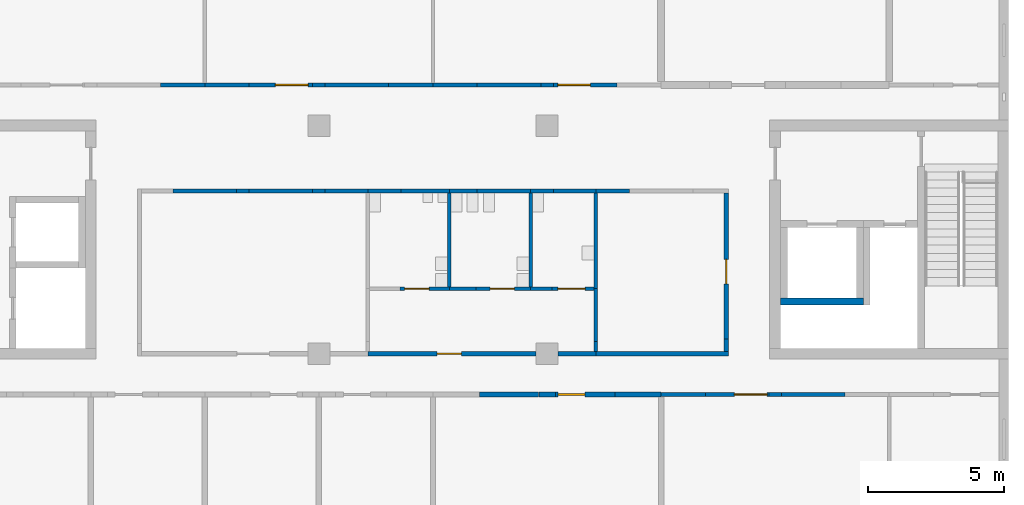
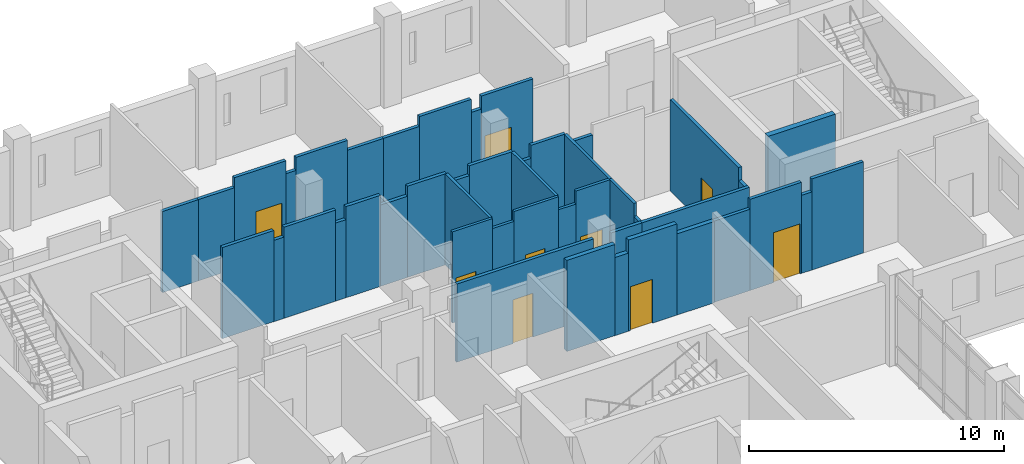
# One storey, part 47 of 70: 46 walls, 9 doors, 9 openings.
"""IFC4 building model written with IfcOpenShell, lengths in metres."""

from ifc_helpers import new_model, si_unit, direction, frame, frame_2d, origin, place, context, subcontext, project, spatial, rectangle, extrude, material, layer, layer_set, type_object, element, fill, save


model = new_model("IFC4")

# Units and contexts
model_context = context("Model", 3, precision=1e-05, world=origin(), true_north=direction((0.0, 1.0)))
body_context = subcontext(model_context, "Body", "Model", "MODEL_VIEW")
ifc_project = project(units=[si_unit("LENGTHUNIT", "METRE"), si_unit("AREAUNIT", "SQUARE_METRE"), si_unit("VOLUMEUNIT", "CUBIC_METRE"), si_unit("PLANEANGLEUNIT", "RADIAN"), si_unit("MASSUNIT", "GRAM", prefix="KILO")], contexts=[model_context])

# Site, building, storey
site_placement = place(None, origin())
site = spatial("IfcSite", under=ifc_project, at=site_placement, CompositionType="ELEMENT")
building_placement = place(site_placement, origin())
building = spatial("IfcBuilding", under=site, at=building_placement, Name="Hlaing Beacon Police Headquarters", CompositionType="ELEMENT")
storey_placement = place(building_placement, frame((0.0, 0.0, 5.39990234375)))
storey = spatial("IfcBuildingStorey", under=building, at=storey_placement, Name="L01", CompositionType="ELEMENT", Elevation=5.39990234375)

# Walls
ifc_material_1 = material(Name="Gypsum board partition")
ifc_layer_1 = layer(ifc_material_1, 0.14990234375)
ifc_layer_set_1 = layer_set([ifc_layer_1], Name="Gypsum board partition")
wall_type_1 = type_object("IfcWallType", Name="Corridor wall EI 30 150", PredefinedType="PARTITIONING", material=ifc_layer_set_1)
wall_1_placement = place(storey_placement, frame((103.830078125, 81.60009765625, 0.0), z_axis=(0.0, 0.0, 1.0), x_axis=(1.0, 0.0, 0.0)))
element("IfcWall", 1, at=wall_1_placement, inside=storey, type_object=wall_type_1, Name="Corridor wall EI 30 150", PredefinedType="PARTITIONING", context=body_context, shape_type="SweptSolid", body=[
    extrude(rectangle(XDim=2.33984375, YDim=0.14990234375, at=frame_2d((1.169921875, 0.0))), origin(), (0.0, 0.0, 1.0), 4.3701171875),
])
wall_2_placement = place(storey_placement, frame((106.169921875, 81.60009765625, 0.0), z_axis=(0.0, 0.0, 1.0), x_axis=(1.0, 0.0, 0.0)))
element("IfcWall", 2, at=wall_2_placement, inside=storey, type_object=wall_type_1, Name="Corridor wall EI 30 150", PredefinedType="PARTITIONING", context=body_context, shape_type="SweptSolid", body=[
    extrude(rectangle(XDim=0.4599609375, YDim=0.14990234375, at=frame_2d((0.22998046875, 0.0))), origin(), (0.0, 0.0, 1.0), 3.89501953125),
])
wall_3_placement = place(storey_placement, frame((106.6298828125, 81.60009765625, 0.0), z_axis=(0.0, 0.0, 1.0), x_axis=(1.0, 0.0, 0.0)))
element("IfcWall", 3, at=wall_3_placement, inside=storey, type_object=wall_type_1, Name="Corridor wall EI 30 150", PredefinedType="PARTITIONING", context=body_context, shape_type="SweptSolid", body=[
    extrude(rectangle(XDim=2.340087890625, YDim=0.14990234375, at=frame_2d((1.169921875, 0.0))), origin(), (0.0, 0.0, 1.0), 4.3701171875),
])
wall_4_placement = place(storey_placement, frame((108.969970703125, 81.60009765625, 0.0), z_axis=(0.0, 0.0, 1.0), x_axis=(1.0, 0.0, 0.0)))
element("IfcWall", 4, at=wall_4_placement, inside=storey, type_object=wall_type_1, Name="Corridor wall EI 30 150", PredefinedType="PARTITIONING", context=body_context, shape_type="SweptSolid", body=[
    extrude(rectangle(XDim=0.4599609375, YDim=0.14990234375, at=frame_2d((0.22998046875, 0.0))), origin(), (0.0, 0.0, 1.0), 3.74609375),
])
wall_5_placement = place(storey_placement, frame((109.429931640625, 81.60009765625, 0.0), z_axis=(0.0, 0.0, 1.0), x_axis=(1.0, 0.0, 0.0)))
element("IfcWall", 5, at=wall_5_placement, inside=storey, type_object=wall_type_1, Name="Corridor wall EI 30 150", PredefinedType="PARTITIONING", context=body_context, shape_type="SweptSolid", body=[
    extrude(rectangle(XDim=1.570068359375, YDim=0.14990234375, at=frame_2d((0.78515625, 0.0))), origin(), (0.0, 0.0, 1.0), 4.3701171875),
])
wall_6_placement = place(storey_placement, frame((117.0, 81.60009765625, 0.0), z_axis=(0.0, 0.0, 1.0), x_axis=(1.0, 0.0, 0.0)))
element("IfcWall", 6, at=wall_6_placement, inside=storey, type_object=wall_type_1, Name="Corridor wall EI 30 150", PredefinedType="PARTITIONING", context=body_context, shape_type="SweptSolid", body=[
    extrude(rectangle(XDim=0.830078125, YDim=0.14990234375, at=frame_2d((0.4150390625, 0.0))), origin(), (0.0, 0.0, 1.0), 3.74609375),
])
wall_7_placement = place(storey_placement, frame((117.830078125, 81.60009765625, 0.0), z_axis=(0.0, 0.0, 1.0), x_axis=(1.0, 0.0, 0.0)))
element("IfcWall", 7, at=wall_7_placement, inside=storey, type_object=wall_type_1, Name="Corridor wall EI 30 150", PredefinedType="PARTITIONING", context=body_context, shape_type="SweptSolid", body=[
    extrude(rectangle(XDim=1.56982421875, YDim=0.14990234375, at=frame_2d((0.784912109375, 0.0))), origin(), (0.0, 0.0, 1.0), 4.3701171875),
])
wall_8_placement = place(storey_placement, frame((114.0, 81.60009765625, 0.0), z_axis=(0.0, 0.0, 1.0), x_axis=(1.0, 0.0, 0.0)))
element("IfcWall", 8, at=wall_8_placement, inside=storey, type_object=wall_type_1, Name="Corridor wall EI 30 150", PredefinedType="PARTITIONING", context=body_context, shape_type="SweptSolid", body=[
    extrude(rectangle(XDim=1.030029296875, YDim=0.14990234375, at=frame_2d((0.51513671875, 0.0))), origin(), (0.0, 0.0, 1.0), 3.89501953125),
])
wall_9_placement = place(storey_placement, frame((115.030029296875, 81.60009765625, 0.0), z_axis=(0.0, 0.0, 1.0), x_axis=(1.0, 0.0, 0.0)))
element("IfcWall", 9, at=wall_9_placement, inside=storey, type_object=wall_type_1, Name="Corridor wall EI 30 150", PredefinedType="PARTITIONING", context=body_context, shape_type="SweptSolid", body=[
    extrude(rectangle(XDim=1.969970703125, YDim=0.14990234375, at=frame_2d((0.98486328125, 0.0))), origin(), (0.0, 0.0, 1.0), 4.3701171875),
])

# Wall, opening, door
wall_10_placement = place(storey_placement, frame((111.0, 75.60009765625, 0.0), z_axis=(0.0, 0.0, 1.0), x_axis=(1.0, 0.0, 0.0)))
wall_10 = element("IfcWall", 10, at=wall_10_placement, inside=storey, type_object=wall_type_1, Name="Corridor wall EI 30 150", PredefinedType="PARTITIONING", context=body_context, shape_type="SweptSolid", body=[
    extrude(rectangle(XDim=6.199951171875, YDim=0.14990234375, at=frame_2d((3.10009765625, 0.0))), origin(), (0.0, 0.0, 1.0), 3.74609375),
])
opening_1_placement = place(wall_10_placement, frame((2.550048828125, 0.0, 0.0)))
opening_1 = element("IfcOpeningElement", 11, at=opening_1_placement, cuts=wall_10, Name="Opening L01-072", PredefinedType="OPENING", context=body_context, shape_type="SweptSolid", body=[
    extrude(rectangle(XDim=0.89990234375, YDim=2.10009765625, at=frame_2d((0.449951171875, 1.050048828125))), frame((0.0, 0.0849609375, 0.0), z_axis=(0.0, -1.0, 0.0), x_axis=(1.0, 0.0, 0.0)), (0.0, 0.0, 1.0), 0.169921875),
])
ifc_material_2 = material(Name="Hardwood door leaf", Category="wood")
ifc_layer_2 = layer(ifc_material_2, 0.050048828125)
ifc_layer_set_2 = layer_set([ifc_layer_2], Name="Hardwood door leaf")
door_type_1 = type_object("IfcDoorType", Name="Fire door FD30S 900x2100", OperationType="SINGLE_SWING_LEFT", PredefinedType="DOOR", material=ifc_layer_set_2)
door_1_placement = place(opening_1_placement, origin())
door_1 = element("IfcDoor", 12, at=door_1_placement, inside=storey, type_object=door_type_1, Name="Door WC Lobby", OperationType="SINGLE_SWING_LEFT", OverallHeight=2.10009765625, OverallWidth=0.89990234375, PredefinedType="DOOR", context=body_context, shape_type="SweptSolid", body=[
    extrude(rectangle(XDim=0.89990234375, YDim=2.10009765625, at=frame_2d((0.449951171875, 1.050048828125))), frame((0.0, 0.02490234375, 0.0), z_axis=(0.0, -1.0, 0.0), x_axis=(1.0, 0.0, 0.0)), (0.0, 0.0, 1.0), 0.050048828125),
])
fill(opening_1, door_1)

# Walls
wall_11_placement = place(storey_placement, frame((118.0, 75.60009765625, 0.0), z_axis=(0.0, 0.0, 1.0), x_axis=(1.0, 0.0, 0.0)))
element("IfcWall", 13, at=wall_11_placement, inside=storey, type_object=wall_type_1, Name="Corridor wall EI 30 150", PredefinedType="PARTITIONING", context=body_context, shape_type="SweptSolid", body=[
    extrude(rectangle(XDim=1.39990234375, YDim=0.14990234375, at=frame_2d((0.699951171875, 0.0))), origin(), (0.0, 0.0, 1.0), 3.74609375),
])
wall_12_placement = place(storey_placement, frame((111.0, 81.60009765625, 0.0), z_axis=(0.0, 0.0, 1.0), x_axis=(1.0, 0.0, 0.0)))
element("IfcWall", 14, at=wall_12_placement, inside=storey, type_object=wall_type_1, Name="Corridor wall EI 30 150", PredefinedType="PARTITIONING", context=body_context, shape_type="SweptSolid", body=[
    extrude(rectangle(XDim=1.22998046875, YDim=0.14990234375, at=frame_2d((0.614990234375, 0.0))), origin(), (0.0, 0.0, 1.0), 3.89501953125),
])
wall_13_placement = place(storey_placement, frame((112.22998046875, 81.60009765625, 0.0), z_axis=(0.0, 0.0, 1.0), x_axis=(1.0, 0.0, 0.0)))
element("IfcWall", 15, at=wall_13_placement, inside=storey, type_object=wall_type_1, Name="Corridor wall EI 30 150", PredefinedType="PARTITIONING", context=body_context, shape_type="SweptSolid", body=[
    extrude(rectangle(XDim=1.77001953125, YDim=0.14990234375, at=frame_2d((0.885009765625, 0.0))), origin(), (0.0, 0.0, 1.0), 4.3701171875),
])
wall_14_placement = place(storey_placement, frame((119.39990234375, 75.60009765625, 0.0), z_axis=(0.0, 0.0, 1.0), x_axis=(1.0, 0.0, 0.0)))
element("IfcWall", 16, at=wall_14_placement, inside=storey, type_object=wall_type_1, Name="Corridor wall EI 30 150", PredefinedType="PARTITIONING", context=body_context, shape_type="SweptSolid", body=[
    extrude(rectangle(XDim=4.875, YDim=0.14990234375, at=frame_2d((2.4375, 0.0))), origin(), (0.0, 0.0, 1.0), 3.74609375),
])
wall_15_placement = place(storey_placement, frame((119.39990234375, 81.60009765625, 0.0), z_axis=(0.0, 0.0, 1.0), x_axis=(1.0, 0.0, 0.0)))
element("IfcWall", 17, at=wall_15_placement, inside=storey, type_object=wall_type_1, Name="Corridor wall EI 30 150", PredefinedType="PARTITIONING", context=body_context, shape_type="SweptSolid", body=[
    extrude(rectangle(XDim=1.22998046875, YDim=0.14990234375, at=frame_2d((0.614990234375, 0.0))), origin(), (0.0, 0.0, 1.0), 3.89501953125),
])
wall_16_placement = place(storey_placement, frame((124.199951171875, 75.675048828125, 0.0), z_axis=(0.0, 0.0, 1.0), x_axis=(0.0, 1.0, 0.0)))
element("IfcWall", 18, at=wall_16_placement, inside=storey, type_object=wall_type_1, Name="Corridor wall EI 30 150", PredefinedType="PARTITIONING", context=body_context, shape_type="SweptSolid", body=[
    extrude(rectangle(XDim=0.4599609375, YDim=0.14990234375, at=frame_2d((0.22998046875, 0.0))), origin(), (0.0, 0.0, 1.0), 3.74609375),
])

# Wall, opening, door
wall_17_placement = place(storey_placement, frame((124.199951171875, 76.135009765625, 0.0), z_axis=(0.0, 0.0, 1.0), x_axis=(0.0, 1.0, 0.0)))
wall_17 = element("IfcWall", 19, at=wall_17_placement, inside=storey, type_object=wall_type_1, Name="Corridor wall EI 30 150", PredefinedType="PARTITIONING", context=body_context, shape_type="SweptSolid", body=[
    extrude(rectangle(XDim=5.389892578125, YDim=0.14990234375, at=frame_2d((2.69482421875, 0.0))), origin(), (0.0, 0.0, 1.0), 4.3701171875),
])
opening_2_placement = place(wall_17_placement, frame((2.0400390625, 0.0, 0.0)))
opening_2 = element("IfcOpeningElement", 20, at=opening_2_placement, cuts=wall_17, Name="Opening L01-074", PredefinedType="OPENING", context=body_context, shape_type="SweptSolid", body=[
    extrude(rectangle(XDim=0.89990234375, YDim=2.10009765625, at=frame_2d((0.449951171875, 1.050048828125))), frame((0.0, 0.0849609375, 0.0), z_axis=(0.0, -1.0, 0.0), x_axis=(1.0, 0.0, 0.0)), (0.0, 0.0, 1.0), 0.169921875),
])
door_2_placement = place(opening_2_placement, origin())
door_2 = element("IfcDoor", 21, at=door_2_placement, inside=storey, type_object=door_type_1, Name="Door Training Stores", OperationType="SINGLE_SWING_LEFT", OverallHeight=2.10009765625, OverallWidth=0.89990234375, PredefinedType="DOOR", context=body_context, shape_type="SweptSolid", body=[
    extrude(rectangle(XDim=0.89990234375, YDim=2.10009765625, at=frame_2d((0.449951171875, 1.050048828125))), frame((0.0, 0.02490234375, 0.0), z_axis=(0.0, -1.0, 0.0), x_axis=(1.0, 0.0, 0.0)), (0.0, 0.0, 1.0), 0.050048828125),
])
fill(opening_2, door_2)

# Walls
for number, where, z_axis, x_axis, name in (
    (22, (103.3701171875, 85.5, 0.0), (0.0, 0.0, 1.0), (1.0, 0.0, 0.0), "Corridor wall EI 30 150"),
    (23, (105.0, 85.5, 0.0), (0.0, 0.0, 1.0), (1.0, 0.0, 0.0), "Corridor wall EI 30 150"),
):
    element("IfcWall", number, at=place(storey_placement, frame(where, z_axis=z_axis, x_axis=x_axis)), inside=storey, type_object=wall_type_1, Name=name, PredefinedType="PARTITIONING", context=body_context, shape_type="SweptSolid", body=[
        extrude(rectangle(XDim=1.6298828125, YDim=0.14990234375, at=frame_2d((0.81494140625, 0.0))), origin(), (0.0, 0.0, 1.0), 3.89501953125),
    ])

# Wall, opening, door
wall_18_placement = place(storey_placement, frame((106.6298828125, 85.5, 0.0), z_axis=(0.0, 0.0, 1.0), x_axis=(1.0, 0.0, 0.0)))
wall_18 = element("IfcWall", 24, at=wall_18_placement, inside=storey, type_object=wall_type_1, Name="Corridor wall EI 30 150", PredefinedType="PARTITIONING", context=body_context, shape_type="SweptSolid", body=[
    extrude(rectangle(XDim=2.340087890625, YDim=0.14990234375, at=frame_2d((1.169921875, 0.0))), origin(), (0.0, 0.0, 1.0), 4.3701171875),
])
opening_3_placement = place(wall_18_placement, frame((0.969970703125, 0.0, 0.0)))
opening_3 = element("IfcOpeningElement", 25, at=opening_3_placement, cuts=wall_18, Name="Opening L01-077", PredefinedType="OPENING", context=body_context, shape_type="SweptSolid", body=[
    extrude(rectangle(XDim=1.199951171875, YDim=2.39990234375, at=frame_2d((0.60009765625, 1.199951171875))), frame((0.0, 0.0849609375, 0.0), z_axis=(0.0, -1.0, 0.0), x_axis=(1.0, 0.0, 0.0)), (0.0, 0.0, 1.0), 0.169921875),
])
ifc_material_3 = material(Name="Hardwood door leaf", Category="wood")
ifc_layer_3 = layer(ifc_material_3, 0.050048828125)
ifc_layer_set_3 = layer_set([ifc_layer_3], Name="Hardwood door leaf")
door_type_2 = type_object("IfcDoorType", Name="Fire public door FD30S 1200x2400", OperationType="SINGLE_SWING_LEFT", PredefinedType="DOOR", material=ifc_layer_set_3)
door_3_placement = place(opening_3_placement, origin())
door_3 = element("IfcDoor", 26, at=door_3_placement, inside=storey, type_object=door_type_2, Name="Door Classroom 1", OperationType="SINGLE_SWING_RIGHT", OverallHeight=2.39990234375, OverallWidth=1.199951171875, PredefinedType="DOOR", context=body_context, shape_type="SweptSolid", body=[
    extrude(rectangle(XDim=1.199951171875, YDim=2.39990234375, at=frame_2d((0.60009765625, 1.199951171875))), frame((0.0, 0.02490234375, 0.0), z_axis=(0.0, -1.0, 0.0), x_axis=(1.0, 0.0, 0.0)), (0.0, 0.0, 1.0), 0.050048828125),
])
fill(opening_3, door_3)

# Walls
wall_19_placement = place(storey_placement, frame((108.969970703125, 85.5, 0.0), z_axis=(0.0, 0.0, 1.0), x_axis=(1.0, 0.0, 0.0)))
element("IfcWall", 27, at=wall_19_placement, inside=storey, type_object=wall_type_1, Name="Corridor wall EI 30 150", PredefinedType="PARTITIONING", context=body_context, shape_type="SweptSolid", body=[
    extrude(rectangle(XDim=0.4599609375, YDim=0.14990234375, at=frame_2d((0.22998046875, 0.0))), origin(), (0.0, 0.0, 1.0), 3.74609375),
])
wall_20_placement = place(storey_placement, frame((109.429931640625, 85.5, 0.0), z_axis=(0.0, 0.0, 1.0), x_axis=(1.0, 0.0, 0.0)))
element("IfcWall", 28, at=wall_20_placement, inside=storey, type_object=wall_type_1, Name="Corridor wall EI 30 150", PredefinedType="PARTITIONING", context=body_context, shape_type="SweptSolid", body=[
    extrude(rectangle(XDim=2.340087890625, YDim=0.14990234375, at=frame_2d((1.169921875, 0.0))), origin(), (0.0, 0.0, 1.0), 4.3701171875),
])
wall_21_placement = place(storey_placement, frame((111.77001953125, 85.5, 0.0), z_axis=(0.0, 0.0, 1.0), x_axis=(1.0, 0.0, 0.0)))
element("IfcWall", 29, at=wall_21_placement, inside=storey, type_object=wall_type_1, Name="Corridor wall EI 30 150", PredefinedType="PARTITIONING", context=body_context, shape_type="SweptSolid", body=[
    extrude(rectangle(XDim=1.6298828125, YDim=0.14990234375, at=frame_2d((0.81494140625, 0.0))), origin(), (0.0, 0.0, 1.0), 3.89501953125),
])
wall_22_placement = place(storey_placement, frame((113.39990234375, 85.5, 0.0), z_axis=(0.0, 0.0, 1.0), x_axis=(1.0, 0.0, 0.0)))
element("IfcWall", 30, at=wall_22_placement, inside=storey, type_object=wall_type_1, Name="Corridor wall EI 30 150", PredefinedType="PARTITIONING", context=body_context, shape_type="SweptSolid", body=[
    extrude(rectangle(XDim=1.630126953125, YDim=0.14990234375, at=frame_2d((0.81494140625, 0.0))), origin(), (0.0, 0.0, 1.0), 3.89501953125),
])
wall_23_placement = place(storey_placement, frame((115.030029296875, 85.5, 0.0), z_axis=(0.0, 0.0, 1.0), x_axis=(1.0, 0.0, 0.0)))
element("IfcWall", 31, at=wall_23_placement, inside=storey, type_object=wall_type_1, Name="Corridor wall EI 30 150", PredefinedType="PARTITIONING", context=body_context, shape_type="SweptSolid", body=[
    extrude(rectangle(XDim=2.340087890625, YDim=0.14990234375, at=frame_2d((1.169921875, 0.0))), origin(), (0.0, 0.0, 1.0), 4.3701171875),
])
wall_24_placement = place(storey_placement, frame((117.3701171875, 85.5, 0.0), z_axis=(0.0, 0.0, 1.0), x_axis=(1.0, 0.0, 0.0)))
element("IfcWall", 32, at=wall_24_placement, inside=storey, type_object=wall_type_1, Name="Corridor wall EI 30 150", PredefinedType="PARTITIONING", context=body_context, shape_type="SweptSolid", body=[
    extrude(rectangle(XDim=0.4599609375, YDim=0.14990234375, at=frame_2d((0.22998046875, 0.0))), origin(), (0.0, 0.0, 1.0), 3.74609375),
])

# Wall, opening, door
wall_25_placement = place(storey_placement, frame((117.830078125, 85.5, 0.0), z_axis=(0.0, 0.0, 1.0), x_axis=(1.0, 0.0, 0.0)))
wall_25 = element("IfcWall", 33, at=wall_25_placement, inside=storey, type_object=wall_type_1, Name="Corridor wall EI 30 150", PredefinedType="PARTITIONING", context=body_context, shape_type="SweptSolid", body=[
    extrude(rectangle(XDim=2.33984375, YDim=0.14990234375, at=frame_2d((1.169921875, 0.0))), origin(), (0.0, 0.0, 1.0), 4.3701171875),
])
opening_4_placement = place(wall_25_placement, frame((0.169921875, 0.0, 0.0)))
opening_4 = element("IfcOpeningElement", 34, at=opening_4_placement, cuts=wall_25, Name="Opening L01-078", PredefinedType="OPENING", context=body_context, shape_type="SweptSolid", body=[
    extrude(rectangle(XDim=1.199951171875, YDim=2.39990234375, at=frame_2d((0.60009765625, 1.199951171875))), frame((0.0, 0.0849609375, 0.0), z_axis=(0.0, -1.0, 0.0), x_axis=(1.0, 0.0, 0.0)), (0.0, 0.0, 1.0), 0.169921875),
])
door_4_placement = place(opening_4_placement, origin())
door_4 = element("IfcDoor", 35, at=door_4_placement, inside=storey, type_object=door_type_2, Name="Door Classroom 2", OperationType="SINGLE_SWING_LEFT", OverallHeight=2.39990234375, OverallWidth=1.199951171875, PredefinedType="DOOR", context=body_context, shape_type="SweptSolid", body=[
    extrude(rectangle(XDim=1.199951171875, YDim=2.39990234375, at=frame_2d((0.60009765625, 1.199951171875))), frame((0.0, 0.02490234375, 0.0), z_axis=(0.0, -1.0, 0.0), x_axis=(1.0, 0.0, 0.0)), (0.0, 0.0, 1.0), 0.050048828125),
])
fill(opening_4, door_4)

# Wall
wall_26_placement = place(storey_placement, frame((121.800048828125, 74.10009765625, 0.0), z_axis=(0.0, 0.0, 1.0), x_axis=(1.0, 0.0, 0.0)))
element("IfcWall", 36, at=wall_26_placement, inside=storey, type_object=wall_type_1, Name="Corridor wall EI 30 150", PredefinedType="PARTITIONING", context=body_context, shape_type="SweptSolid", body=[
    extrude(rectangle(XDim=1.6298828125, YDim=0.14990234375, at=frame_2d((0.81494140625, 0.0))), origin(), (0.0, 0.0, 1.0), 3.89501953125),
])

# Wall, opening, door
wall_27_placement = place(storey_placement, frame((123.429931640625, 74.10009765625, 0.0), z_axis=(0.0, 0.0, 1.0), x_axis=(1.0, 0.0, 0.0)))
wall_27 = element("IfcWall", 37, at=wall_27_placement, inside=storey, type_object=wall_type_1, Name="Corridor wall EI 30 150", PredefinedType="PARTITIONING", context=body_context, shape_type="SweptSolid", body=[
    extrude(rectangle(XDim=2.340087890625, YDim=0.14990234375, at=frame_2d((1.169921875, 0.0))), origin(), (0.0, 0.0, 1.0), 4.3701171875),
])
opening_5_placement = place(wall_27_placement, frame((1.070068359375, 0.0, 0.0)))
opening_5 = element("IfcOpeningElement", 38, at=opening_5_placement, cuts=wall_27, Name="Opening L01-086", PredefinedType="OPENING", context=body_context, shape_type="SweptSolid", body=[
    extrude(rectangle(XDim=1.199951171875, YDim=2.39990234375, at=frame_2d((0.60009765625, 1.199951171875))), frame((0.0, 0.0849609375, 0.0), z_axis=(0.0, -1.0, 0.0), x_axis=(1.0, 0.0, 0.0)), (0.0, 0.0, 1.0), 0.169921875),
])
door_5_placement = place(opening_5_placement, frame((1.199951171875, 0.0, 0.0), z_axis=(0.0, 0.0, 1.0), x_axis=(-1.0, 0.0, 0.0)))
door_5 = element("IfcDoor", 39, at=door_5_placement, inside=storey, type_object=door_type_2, Name="Door First Aid Training Room", OperationType="SINGLE_SWING_LEFT", OverallHeight=2.39990234375, OverallWidth=1.199951171875, PredefinedType="DOOR", context=body_context, shape_type="SweptSolid", body=[
    extrude(rectangle(XDim=1.199951171875, YDim=2.39990234375, at=frame_2d((0.599853515625, 1.199951171875))), frame((0.0, 0.025146484375, 0.0), z_axis=(0.0, -1.0, 0.0), x_axis=(1.0, 0.0, 0.0)), (0.0, 0.0, 1.0), 0.050048828125),
])
fill(opening_5, door_5)

# Walls
wall_28_placement = place(storey_placement, frame((125.77001953125, 74.10009765625, 0.0), z_axis=(0.0, 0.0, 1.0), x_axis=(1.0, 0.0, 0.0)))
element("IfcWall", 40, at=wall_28_placement, inside=storey, type_object=wall_type_1, Name="Corridor wall EI 30 150", PredefinedType="PARTITIONING", context=body_context, shape_type="SweptSolid", body=[
    extrude(rectangle(XDim=0.4599609375, YDim=0.14990234375, at=frame_2d((0.22998046875, 0.0))), origin(), (0.0, 0.0, 1.0), 3.74609375),
])
wall_29_placement = place(storey_placement, frame((126.22998046875, 74.10009765625, 0.0), z_axis=(0.0, 0.0, 1.0), x_axis=(1.0, 0.0, 0.0)))
element("IfcWall", 41, at=wall_29_placement, inside=storey, type_object=wall_type_1, Name="Corridor wall EI 30 150", PredefinedType="PARTITIONING", context=body_context, shape_type="SweptSolid", body=[
    extrude(rectangle(XDim=2.340087890625, YDim=0.14990234375, at=frame_2d((1.169921875, 0.0))), origin(), (0.0, 0.0, 1.0), 4.3701171875),
])
ifc_material_4 = material(Name="Concrete blockwork 7.5 N/mm2", Category="masonry")
ifc_layer_4 = layer(ifc_material_4, 0.199951171875)
ifc_layer_set_4 = layer_set([ifc_layer_4], Name="Concrete blockwork 7.5 N/mm2")
wall_type_2 = type_object("IfcWallType", Name="Custody wall EI 60 200", PredefinedType="PARTITIONING", material=ifc_layer_set_4)
wall_30_placement = place(storey_placement, frame((115.10498046875, 74.10009765625, 0.0), z_axis=(0.0, 0.0, 1.0), x_axis=(1.0, 0.0, 0.0)))
element("IfcWall", 42, at=wall_30_placement, inside=storey, type_object=wall_type_2, Name="Custody wall EI 60 200", PredefinedType="PARTITIONING", context=body_context, shape_type="SweptSolid", body=[
    extrude(rectangle(XDim=2.18994140625, YDim=0.199951171875, at=frame_2d((1.094970703125, 0.0))), origin(), (0.0, 0.0, 1.0), 4.3701171875),
])
wall_31_placement = place(storey_placement, frame((117.294921875, 74.10009765625, 0.0), z_axis=(0.0, 0.0, 1.0), x_axis=(1.0, 0.0, 0.0)))
element("IfcWall", 43, at=wall_31_placement, inside=storey, type_object=wall_type_2, Name="Custody wall EI 60 200", PredefinedType="PARTITIONING", context=body_context, shape_type="SweptSolid", body=[
    extrude(rectangle(XDim=0.610107421875, YDim=0.199951171875, at=frame_2d((0.30517578125, 0.0))), origin(), (0.0, 0.0, 1.0), 3.74609375),
])

# Wall, opening, door
wall_32_placement = place(storey_placement, frame((117.905029296875, 74.10009765625, 0.0), z_axis=(0.0, 0.0, 1.0), x_axis=(1.0, 0.0, 0.0)))
wall_32 = element("IfcWall", 44, at=wall_32_placement, inside=storey, type_object=wall_type_2, Name="Custody wall EI 60 200", PredefinedType="PARTITIONING", context=body_context, shape_type="SweptSolid", body=[
    extrude(rectangle(XDim=2.18994140625, YDim=0.199951171875, at=frame_2d((1.094970703125, 0.0))), origin(), (0.0, 0.0, 1.0), 4.3701171875),
])
opening_6_placement = place(wall_32_placement, frame((0.094970703125, 0.0, 0.0)))
opening_6 = element("IfcOpeningElement", 45, at=opening_6_placement, cuts=wall_32, Name="Opening L01-085", PredefinedType="OPENING", context=body_context, shape_type="SweptSolid", body=[
    extrude(rectangle(XDim=1.0, YDim=2.10009765625, at=frame_2d((0.5, 1.050048828125))), frame((0.0, 0.10986328125, 0.0), z_axis=(0.0, -1.0, 0.0), x_axis=(1.0, 0.0, 0.0)), (0.0, 0.0, 1.0), 0.219970703125),
])
ifc_material_5 = material(Name="Steel security door leaf", Category="steel")
ifc_layer_5 = layer(ifc_material_5, 0.090087890625)
ifc_layer_set_5 = layer_set([ifc_layer_5], Name="Steel security door leaf")
door_type_3 = type_object("IfcDoorType", Name="Steel security door FD60 1000x2100", OperationType="SINGLE_SWING_LEFT", PredefinedType="DOOR", material=ifc_layer_set_5)
door_6_placement = place(opening_6_placement, frame((1.0, 0.0, 0.0), z_axis=(0.0, 0.0, 1.0), x_axis=(-1.0, 0.0, 0.0)))
door_6 = element("IfcDoor", 46, at=door_6_placement, inside=storey, type_object=door_type_3, Name="Door Video Identification Suite", OperationType="SINGLE_SWING_RIGHT", OverallHeight=2.10009765625, OverallWidth=1.0, PredefinedType="DOOR", context=body_context, shape_type="SweptSolid", body=[
    extrude(rectangle(XDim=1.0, YDim=2.10009765625, at=frame_2d((0.5, 1.050048828125))), frame((0.0, 0.045166015625, 0.0), z_axis=(0.0, -1.0, 0.0), x_axis=(1.0, 0.0, 0.0)), (0.0, 0.0, 1.0), 0.090087890625),
])
fill(opening_6, door_6)

# Walls
wall_33_placement = place(storey_placement, frame((120.094970703125, 74.10009765625, 0.0), z_axis=(0.0, 0.0, 1.0), x_axis=(1.0, 0.0, 0.0)))
element("IfcWall", 47, at=wall_33_placement, inside=storey, type_object=wall_type_2, Name="Custody wall EI 60 200", PredefinedType="PARTITIONING", context=body_context, shape_type="SweptSolid", body=[
    extrude(rectangle(XDim=1.705078125, YDim=0.199951171875, at=frame_2d((0.8525390625, 0.0))), origin(), (0.0, 0.0, 1.0), 3.89501953125),
])
ifc_material_6 = material(Name="Gypsum board partition")
ifc_layer_6 = layer(ifc_material_6, 0.125)
ifc_layer_set_6 = layer_set([ifc_layer_6], Name="Gypsum board partition")
wall_type_3 = type_object("IfcWallType", Name="Partition 125", PredefinedType="PARTITIONING", material=ifc_layer_set_6)
wall_34_placement = place(storey_placement, frame((117.0, 78.06201171875, 0.0), z_axis=(0.0, 0.0, 1.0), x_axis=(0.0, 1.0, 0.0)))
element("IfcWall", 48, at=wall_34_placement, inside=storey, type_object=wall_type_3, Name="Partition 125", PredefinedType="PARTITIONING", context=body_context, shape_type="SweptSolid", body=[
    extrude(rectangle(XDim=3.462890625, YDim=0.125, at=frame_2d((1.7314453125, 0.0))), origin(), (0.0, 0.0, 1.0), 4.3701171875),
])
wall_35_placement = place(storey_placement, frame((117.0, 78.0, 0.0), z_axis=(0.0, 0.0, 1.0), x_axis=(1.0, 0.0, 0.0)))
element("IfcWall", 49, at=wall_35_placement, inside=storey, type_object=wall_type_3, Name="Partition 125", PredefinedType="PARTITIONING", context=body_context, shape_type="SweptSolid", body=[
    extrude(rectangle(XDim=0.7919921875, YDim=0.125, at=frame_2d((0.39599609375, 0.0))), origin(), (0.0, 0.0, 1.0), 3.74609375),
])

# Wall, opening, door
wall_36_placement = place(storey_placement, frame((117.7919921875, 78.0, 0.0), z_axis=(0.0, 0.0, 1.0), x_axis=(1.0, 0.0, 0.0)))
wall_36 = element("IfcWall", 50, at=wall_36_placement, inside=storey, type_object=wall_type_3, Name="Partition 125", PredefinedType="PARTITIONING", context=body_context, shape_type="SweptSolid", body=[
    extrude(rectangle(XDim=1.5458984375, YDim=0.125, at=frame_2d((0.77294921875, 0.0))), origin(), (0.0, 0.0, 1.0), 4.3701171875),
])
opening_7_placement = place(wall_36_placement, frame((0.2080078125, 0.0, 0.0)))
opening_7 = element("IfcOpeningElement", 51, at=opening_7_placement, cuts=wall_36, Name="Opening L01-070", PredefinedType="OPENING", context=body_context, shape_type="SweptSolid", body=[
    extrude(rectangle(XDim=1.0, YDim=2.10009765625, at=frame_2d((0.5, 1.050048828125))), frame((0.0, 0.072509765625, 0.0), z_axis=(0.0, -1.0, 0.0), x_axis=(1.0, 0.0, 0.0)), (0.0, 0.0, 1.0), 0.14501953125),
])
ifc_material_7 = material(Name="Hardwood door leaf", Category="wood")
ifc_layer_7 = layer(ifc_material_7, 0.0400390625)
ifc_layer_set_7 = layer_set([ifc_layer_7], Name="Hardwood door leaf")
door_type_4 = type_object("IfcDoorType", Name="Door 1000x2100", OperationType="SINGLE_SWING_LEFT", PredefinedType="DOOR", material=ifc_layer_set_7)
door_7_placement = place(opening_7_placement, origin())
door_7 = element("IfcDoor", 52, at=door_7_placement, inside=storey, type_object=door_type_4, Name="Door Accessible WC", OperationType="SINGLE_SWING_LEFT", OverallHeight=2.10009765625, OverallWidth=1.0, PredefinedType="DOOR", context=body_context, shape_type="SweptSolid", body=[
    extrude(rectangle(XDim=1.0, YDim=2.10009765625, at=frame_2d((0.5, 1.050048828125))), frame((0.0, 0.02001953125, 0.0), z_axis=(0.0, -1.0, 0.0), x_axis=(1.0, 0.0, 0.0)), (0.0, 0.0, 1.0), 0.0400390625),
])
fill(opening_7, door_7)

# Walls
wall_37_placement = place(storey_placement, frame((119.39990234375, 78.0, 0.0), z_axis=(0.0, 0.0, 1.0), x_axis=(0.0, 1.0, 0.0)))
element("IfcWall", 53, at=wall_37_placement, inside=storey, type_object=wall_type_3, Name="Partition 125", PredefinedType="PARTITIONING", context=body_context, shape_type="SweptSolid", body=[
    extrude(rectangle(XDim=3.52490234375, YDim=0.125, at=frame_2d((1.762451171875, 0.0))), origin(), (0.0, 0.0, 1.0), 4.3701171875),
])
wall_38_placement = place(storey_placement, frame((114.0, 78.0, 0.0), z_axis=(0.0, 0.0, 1.0), x_axis=(1.0, 0.0, 0.0)))
element("IfcWall", 54, at=wall_38_placement, inside=storey, type_object=wall_type_3, Name="Partition 125", PredefinedType="PARTITIONING", context=body_context, shape_type="SweptSolid", body=[
    extrude(rectangle(XDim=0.991943359375, YDim=0.125, at=frame_2d((0.49609375, 0.0))), origin(), (0.0, 0.0, 1.0), 3.89501953125),
])

# Wall, opening, door
wall_39_placement = place(storey_placement, frame((114.991943359375, 78.0, 0.0), z_axis=(0.0, 0.0, 1.0), x_axis=(1.0, 0.0, 0.0)))
wall_39 = element("IfcWall", 55, at=wall_39_placement, inside=storey, type_object=wall_type_3, Name="Partition 125", PredefinedType="PARTITIONING", context=body_context, shape_type="SweptSolid", body=[
    extrude(rectangle(XDim=2.008056640625, YDim=0.125, at=frame_2d((1.00390625, 0.0))), origin(), (0.0, 0.0, 1.0), 4.3701171875),
])
opening_8_placement = place(wall_39_placement, frame((0.508056640625, 0.0, 0.0)))
opening_8 = element("IfcOpeningElement", 56, at=opening_8_placement, cuts=wall_39, Name="Opening L01-071", PredefinedType="OPENING", context=body_context, shape_type="SweptSolid", body=[
    extrude(rectangle(XDim=0.89990234375, YDim=2.10009765625, at=frame_2d((0.449951171875, 1.050048828125))), frame((0.0, 0.072509765625, 0.0), z_axis=(0.0, -1.0, 0.0), x_axis=(1.0, 0.0, 0.0)), (0.0, 0.0, 1.0), 0.14501953125),
])
ifc_material_8 = material(Name="Hardwood door leaf", Category="wood")
ifc_layer_8 = layer(ifc_material_8, 0.0400390625)
ifc_layer_set_8 = layer_set([ifc_layer_8], Name="Hardwood door leaf")
door_type_5 = type_object("IfcDoorType", Name="Door 900x2100", OperationType="SINGLE_SWING_LEFT", PredefinedType="DOOR", material=ifc_layer_set_8)
door_8_placement = place(opening_8_placement, origin())
door_8 = element("IfcDoor", 57, at=door_8_placement, inside=storey, type_object=door_type_5, Name="Door Female WC", OperationType="SINGLE_SWING_LEFT", OverallHeight=2.10009765625, OverallWidth=0.89990234375, PredefinedType="DOOR", context=body_context, shape_type="SweptSolid", body=[
    extrude(rectangle(XDim=0.89990234375, YDim=2.10009765625, at=frame_2d((0.449951171875, 1.050048828125))), frame((0.0, 0.02001953125, 0.0), z_axis=(0.0, -1.0, 0.0), x_axis=(1.0, 0.0, 0.0)), (0.0, 0.0, 1.0), 0.0400390625),
])
fill(opening_8, door_8)

# Wall
wall_40_placement = place(storey_placement, frame((114.0, 78.06201171875, 0.0), z_axis=(0.0, 0.0, 1.0), x_axis=(0.0, 1.0, 0.0)))
element("IfcWall", 58, at=wall_40_placement, inside=storey, type_object=wall_type_3, Name="Partition 125", PredefinedType="PARTITIONING", context=body_context, shape_type="SweptSolid", body=[
    extrude(rectangle(XDim=3.462890625, YDim=0.125, at=frame_2d((1.7314453125, 0.0))), origin(), (0.0, 0.0, 1.0), 4.3701171875),
])

# Wall, opening, door
wall_41_placement = place(storey_placement, frame((112.19189453125, 78.0, 0.0), z_axis=(0.0, 0.0, 1.0), x_axis=(1.0, 0.0, 0.0)))
wall_41 = element("IfcWall", 59, at=wall_41_placement, inside=storey, type_object=wall_type_3, Name="Partition 125", PredefinedType="PARTITIONING", context=body_context, shape_type="SweptSolid", body=[
    extrude(rectangle(XDim=1.80810546875, YDim=0.125, at=frame_2d((0.904052734375, 0.0))), origin(), (0.0, 0.0, 1.0), 4.3701171875),
])
opening_9_placement = place(wall_41_placement, frame((0.1689453125, 0.0, 0.0)))
opening_9 = element("IfcOpeningElement", 60, at=opening_9_placement, cuts=wall_41, Name="Opening L01-073", PredefinedType="OPENING", context=body_context, shape_type="SweptSolid", body=[
    extrude(rectangle(XDim=0.89990234375, YDim=2.10009765625, at=frame_2d((0.449951171875, 1.050048828125))), frame((0.0, 0.072509765625, 0.0), z_axis=(0.0, -1.0, 0.0), x_axis=(1.0, 0.0, 0.0)), (0.0, 0.0, 1.0), 0.14501953125),
])
door_9_placement = place(opening_9_placement, origin())
door_9 = element("IfcDoor", 61, at=door_9_placement, inside=storey, type_object=door_type_5, Name="Door Male WC", OperationType="SINGLE_SWING_LEFT", OverallHeight=2.10009765625, OverallWidth=0.89990234375, PredefinedType="DOOR", context=body_context, shape_type="SweptSolid", body=[
    extrude(rectangle(XDim=0.89990234375, YDim=2.10009765625, at=frame_2d((0.449951171875, 1.050048828125))), frame((0.0, 0.02001953125, 0.0), z_axis=(0.0, -1.0, 0.0), x_axis=(1.0, 0.0, 0.0)), (0.0, 0.0, 1.0), 0.0400390625),
])
fill(opening_9, door_9)

# Walls
wall_42_placement = place(storey_placement, frame((119.39990234375, 75.675048828125, 0.0), z_axis=(0.0, 0.0, 1.0), x_axis=(0.0, 1.0, 0.0)))
element("IfcWall", 62, at=wall_42_placement, inside=storey, type_object=wall_type_3, Name="Partition 125", PredefinedType="PARTITIONING", context=body_context, shape_type="SweptSolid", body=[
    extrude(rectangle(XDim=0.385009765625, YDim=0.125, at=frame_2d((0.1923828125, 0.0))), origin(), (0.0, 0.0, 1.0), 3.74609375),
])
wall_43_placement = place(storey_placement, frame((119.39990234375, 76.06005859375, 0.0), z_axis=(0.0, 0.0, 1.0), x_axis=(0.0, 1.0, 0.0)))
element("IfcWall", 63, at=wall_43_placement, inside=storey, type_object=wall_type_3, Name="Partition 125", PredefinedType="PARTITIONING", context=body_context, shape_type="SweptSolid", body=[
    extrude(rectangle(XDim=1.93994140625, YDim=0.125, at=frame_2d((0.969970703125, 0.0))), origin(), (0.0, 0.0, 1.0), 4.3701171875),
])
ifc_material_9 = material(Name="Concrete C40/50", Category="concrete")
ifc_layer_9 = layer(ifc_material_9, 0.25)
ifc_layer_set_9 = layer_set([ifc_layer_9], Name="Concrete C40/50")
wall_type_4 = type_object("IfcWallType", Name="Shaft wall 250", PredefinedType="SOLIDWALL", material=ifc_layer_set_9)
wall_44_placement = place(storey_placement, frame((126.199951171875, 77.52490234375, 0.0), z_axis=(0.0, 0.0, 1.0), x_axis=(1.0, 0.0, 0.0)))
element("IfcWall", 64, at=wall_44_placement, inside=storey, type_object=wall_type_4, Name="Lift shaft wall FL3", PredefinedType="SOLIDWALL", context=body_context, shape_type="SweptSolid", body=[
    extrude(rectangle(XDim=3.050048828125, YDim=0.25, at=frame_2d((1.52490234375, 0.0))), origin(), (0.0, 0.0, 1.0), 4.3701171875),
])

save(model, "model.ifc")
